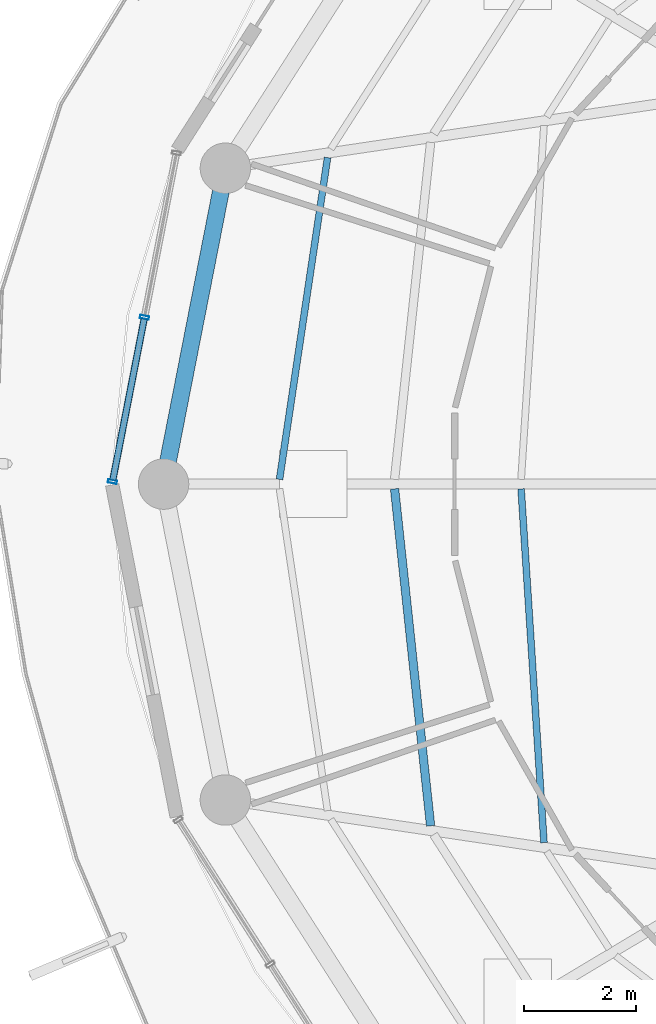
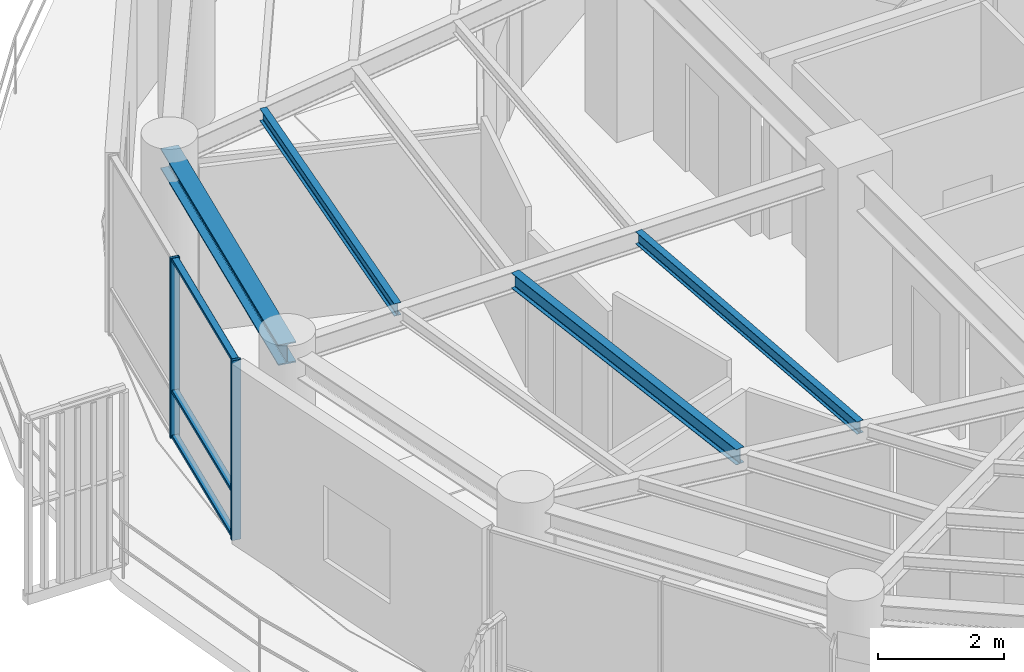
# One storey, part 6 of 24: 5 members, 4 beams, 1 element without a shape of its own.
"""IFC4 building model written with IfcOpenShell, lengths in metres."""

from ifc_helpers import new_model, si_unit, direction, frame, origin, origin_2d, place, context, subcontext, project, spatial, hollow_rectangle, i_section, extrude, material, layer, layer_set, material_profile, profile_set, type_object, element, aggregate, save


model = new_model("IFC4")

# Units and contexts
model_context = context("Model", 3, precision=1e-05, world=origin(), true_north=direction((0.0, 1.0)))
body_context = subcontext(model_context, "Body", "Model", "MODEL_VIEW")
ifc_project = project(units=[si_unit("LENGTHUNIT", "METRE"), si_unit("AREAUNIT", "SQUARE_METRE"), si_unit("VOLUMEUNIT", "CUBIC_METRE"), si_unit("PLANEANGLEUNIT", "RADIAN"), si_unit("MASSUNIT", "GRAM", prefix="KILO")], contexts=[model_context])

# Site, building, storey
site_placement = place(None, origin())
site = spatial("IfcSite", under=ifc_project, at=site_placement, CompositionType="ELEMENT")
building_placement = place(site_placement, origin())
building = spatial("IfcBuilding", under=site, at=building_placement, Name="Kelanora Arch Commons", CompositionType="ELEMENT")
storey_placement = place(building_placement, frame((0.0, 0.0, 248.699951171875)))
storey = spatial("IfcBuildingStorey", under=building, at=storey_placement, Name="L63", CompositionType="ELEMENT", Elevation=248.699951171875)

# Beams
ifc_material_1 = material(Name="Steel S355", Category="steel")
ifc_material_profile_1 = material_profile(ifc_material_1, i_section(OverallWidth=0.14990234375, OverallDepth=0.300048828125, WebThickness=0.007080078125, FlangeThickness=0.0107421875, FilletRadius=0.014892578125, at=origin_2d()), Name="IPE300")
ifc_profile_set_1 = profile_set([ifc_material_profile_1], Name="Steel S355")
beam_type_1 = type_object("IfcBeamType", Name="BM-JST-01", PredefinedType="JOIST", material=ifc_profile_set_1)
beam_1_placement = place(storey_placement, frame((59.841064453125, 57.91552734375, 3.340087890625), z_axis=(0.106380594087, -0.994325484538, 0.0), x_axis=(0.994325484538, 0.106380594087, 0.0)))
element("IfcBeam", 1, at=beam_1_placement, inside=storey, type_object=beam_type_1, Name="Secondary Chord Joist BJB-18 L63", PredefinedType="JOIST", context=body_context, shape_type="SweptSolid", body=[
    extrude(i_section(OverallWidth=0.14990234375, OverallDepth=0.300048828125, WebThickness=0.007080078125, FlangeThickness=0.0107421875, FilletRadius=0.014892578125, at=origin_2d()), origin(), (0.0, 0.0, 1.0), 6.04736328125),
])
ifc_material_profile_2 = material_profile(ifc_material_1, i_section(OverallWidth=0.1201171875, OverallDepth=0.239990234375, WebThickness=0.006103515625, FlangeThickness=0.009765625, FilletRadius=0.014892578125, at=origin_2d()), Name="IPE240")
ifc_profile_set_2 = profile_set([ifc_material_profile_2], Name="Steel S355")
beam_type_2 = type_object("IfcBeamType", Name="BM-JST-02", PredefinedType="JOIST", material=ifc_profile_set_2)
beam_2_placement = place(storey_placement, frame((58.6455078125, 63.8251953125, 3.3701171875), z_axis=(-0.14762470282, -0.989043450571, 0.0), x_axis=(0.989043450571, -0.14762470282, 0.0)))
element("IfcBeam", 2, at=beam_2_placement, inside=storey, type_object=beam_type_2, Name="Secondary Chord Joist BJC-16 L63", PredefinedType="JOIST", context=body_context, shape_type="SweptSolid", body=[
    extrude(i_section(OverallWidth=0.1201171875, OverallDepth=0.239990234375, WebThickness=0.006103515625, FlangeThickness=0.009765625, FilletRadius=0.014892578125, at=origin_2d()), origin(), (0.0, 0.0, 1.0), 5.804931640625),
])
beam_3_placement = place(storey_placement, frame((62.09912109375, 57.915283203125, 3.3701171875), z_axis=(0.064495107978, -0.99791802321, 0.0), x_axis=(0.99791802321, 0.064495107978, 0.0)))
element("IfcBeam", 3, at=beam_3_placement, inside=storey, type_object=beam_type_2, Name="Secondary Chord Joist BJA-18 L63", PredefinedType="JOIST", context=body_context, shape_type="SweptSolid", body=[
    extrude(i_section(OverallWidth=0.1201171875, OverallDepth=0.239990234375, WebThickness=0.006103515625, FlangeThickness=0.009765625, FilletRadius=0.014892578125, at=origin_2d()), origin(), (0.0, 0.0, 1.0), 6.325439453125),
])
ifc_material_profile_3 = material_profile(ifc_material_1, i_section(OverallWidth=0.300048828125, OverallDepth=0.39990234375, WebThickness=0.013427734375, FlangeThickness=0.02392578125, FilletRadius=0.027099609375, at=origin_2d()), Name="HEB400")
ifc_profile_set_3 = profile_set([ifc_material_profile_3], Name="Steel S355")
beam_type_3 = type_object("IfcBeamType", Name="BM-SPN-Z4", PredefinedType="SPANDREL", material=ifc_profile_set_3)
beam_4_placement = place(storey_placement, frame((56.822509765625, 63.636474609375, 3.2900390625), z_axis=(-0.191969774604, -0.981400838413, 0.0), x_axis=(0.981400838413, -0.191969774604, 0.0)))
element("IfcBeam", 4, at=beam_4_placement, inside=storey, type_object=beam_type_3, Name="Perimeter Spandrel Beam BS-16 L63", PredefinedType="SPANDREL", context=body_context, shape_type="SweptSolid", body=[
    extrude(i_section(OverallWidth=0.300048828125, OverallDepth=0.39990234375, WebThickness=0.013427734375, FlangeThickness=0.02392578125, FilletRadius=0.027099609375, at=origin_2d()), origin(), (0.0, 0.0, 1.0), 5.743408203125),
])

# Curtain wall, members
ifc_material_2 = material(Name="Terracotta ceramic-fritted low-E glass and aluminium", Category="masonry")
ifc_layer = layer(ifc_material_2, 0.18994140625)
ifc_layer_set = layer_set([ifc_layer], Name="Terracotta ceramic-fritted low-E glass and aluminium")
curtain_wall_type = type_object("IfcCurtainWallType", Name="CW-SYS-03", PredefinedType="NOTDEFINED", material=ifc_layer_set)
curtain_wall_placement = place(storey_placement, origin())
curtain_wall = element("IfcCurtainWall", 5, at=curtain_wall_placement, inside=storey, type_object=curtain_wall_type, Name="Unitised Curtain Wall L63-B08", PredefinedType="NOTDEFINED")
ifc_material_3 = material(Name="Powder-coated aluminium terracotta", Category="masonry")
ifc_material_profile_4 = material_profile(ifc_material_3, hollow_rectangle(XDim=0.159912109375, YDim=0.06005859375, WallThickness=0.0048828125, InnerFilletRadius=0.0048828125, OuterFilletRadius=0.010009765625, at=origin_2d()), Name="CWM160x60")
ifc_profile_set_4 = profile_set([ifc_material_profile_4], Name="Powder-coated aluminium terracotta")
member_type_1 = type_object("IfcMemberType", Name="CWM-STD", PredefinedType="MULLION", material=ifc_profile_set_4)
member_1_placement = place(storey_placement, frame((55.37890625, 60.9755859375, 0.0), z_axis=(0.0, 0.0, 1.0), x_axis=(0.981595542501, -0.190971701941, 0.0)))
member_1 = element("IfcMember", 6, at=member_1_placement, type_object=member_type_1, Name="CW-03 mullion 2", PredefinedType="MULLION", context=body_context, shape_type="SweptSolid", body=[
    extrude(hollow_rectangle(XDim=0.159912109375, YDim=0.06005859375, WallThickness=0.0048828125, InnerFilletRadius=0.0048828125, OuterFilletRadius=0.010009765625, at=origin_2d()), origin(), (0.0, 0.0, 1.0), 3.47509765625),
])
member_2_placement = place(storey_placement, frame((54.80859375, 58.044189453125, 0.0), z_axis=(0.0, 0.0, 1.0), x_axis=(0.981595542501, -0.190971701941, 0.0)))
member_2 = element("IfcMember", 7, at=member_2_placement, type_object=member_type_1, Name="CW-03 mullion 3", PredefinedType="MULLION", context=body_context, shape_type="SweptSolid", body=[
    extrude(hollow_rectangle(XDim=0.159912109375, YDim=0.06005859375, WallThickness=0.0048828125, InnerFilletRadius=0.0048828125, OuterFilletRadius=0.010009765625, at=origin_2d()), origin(), (0.0, 0.0, 1.0), 3.47509765625),
])
ifc_material_profile_5 = material_profile(ifc_material_3, hollow_rectangle(XDim=0.1201171875, YDim=0.06005859375, WallThickness=0.0048828125, InnerFilletRadius=0.0048828125, OuterFilletRadius=0.010009765625, at=origin_2d()), Name="CWT120x60")
ifc_profile_set_5 = profile_set([ifc_material_profile_5], Name="Powder-coated aluminium terracotta")
member_type_2 = type_object("IfcMemberType", Name="CWT-STD", PredefinedType="USERDEFINED", material=ifc_profile_set_5)
member_3_placement = place(storey_placement, frame((55.373291015625, 60.946044921875, 0.030029296875), z_axis=(-0.190963443354, -0.981597149192, 0.0), x_axis=(0.981597149192, -0.190963443354, 0.0)))
member_3 = element("IfcMember", 8, at=member_3_placement, type_object=member_type_2, Name="CW-03 transom 2.1", ObjectType="TRANSOM", PredefinedType="USERDEFINED", context=body_context, shape_type="SweptSolid", body=[
    extrude(hollow_rectangle(XDim=0.1201171875, YDim=0.06005859375, WallThickness=0.0048828125, InnerFilletRadius=0.0048828125, OuterFilletRadius=0.010009765625, at=origin_2d()), origin(), (0.0, 0.0, 1.0), 2.926513671875),
])
member_4_placement = place(storey_placement, frame((55.373291015625, 60.946044921875, 0.900146484375), z_axis=(-0.190963443354, -0.981597149192, 0.0), x_axis=(0.981597149192, -0.190963443354, 0.0)))
member_4 = element("IfcMember", 9, at=member_4_placement, type_object=member_type_2, Name="CW-03 transom 2.2", ObjectType="TRANSOM", PredefinedType="USERDEFINED", context=body_context, shape_type="SweptSolid", body=[
    extrude(hollow_rectangle(XDim=0.1201171875, YDim=0.06005859375, WallThickness=0.0048828125, InnerFilletRadius=0.0048828125, OuterFilletRadius=0.010009765625, at=origin_2d()), origin(), (0.0, 0.0, 1.0), 2.926513671875),
])
member_5_placement = place(storey_placement, frame((55.373291015625, 60.946044921875, 3.445068359375), z_axis=(-0.190963443354, -0.981597149192, 0.0), x_axis=(0.981597149192, -0.190963443354, 0.0)))
member_5 = element("IfcMember", 10, at=member_5_placement, type_object=member_type_2, Name="CW-03 transom 2.3", ObjectType="TRANSOM", PredefinedType="USERDEFINED", context=body_context, shape_type="SweptSolid", body=[
    extrude(hollow_rectangle(XDim=0.1201171875, YDim=0.06005859375, WallThickness=0.0048828125, InnerFilletRadius=0.0048828125, OuterFilletRadius=0.010009765625, at=origin_2d()), origin(), (0.0, 0.0, 1.0), 2.926513671875),
])
aggregate(curtain_wall, [member_1, member_2, member_3, member_4, member_5])

save(model, "model.ifc")
